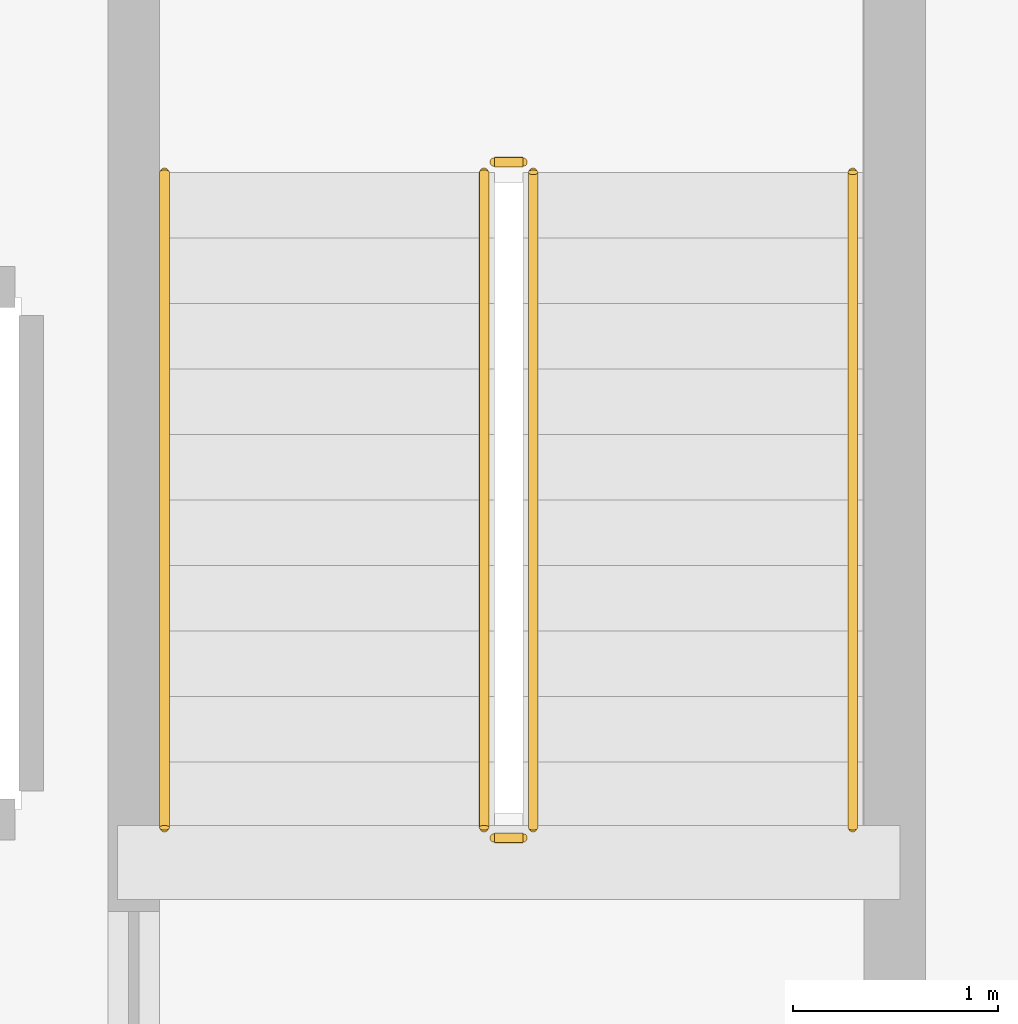
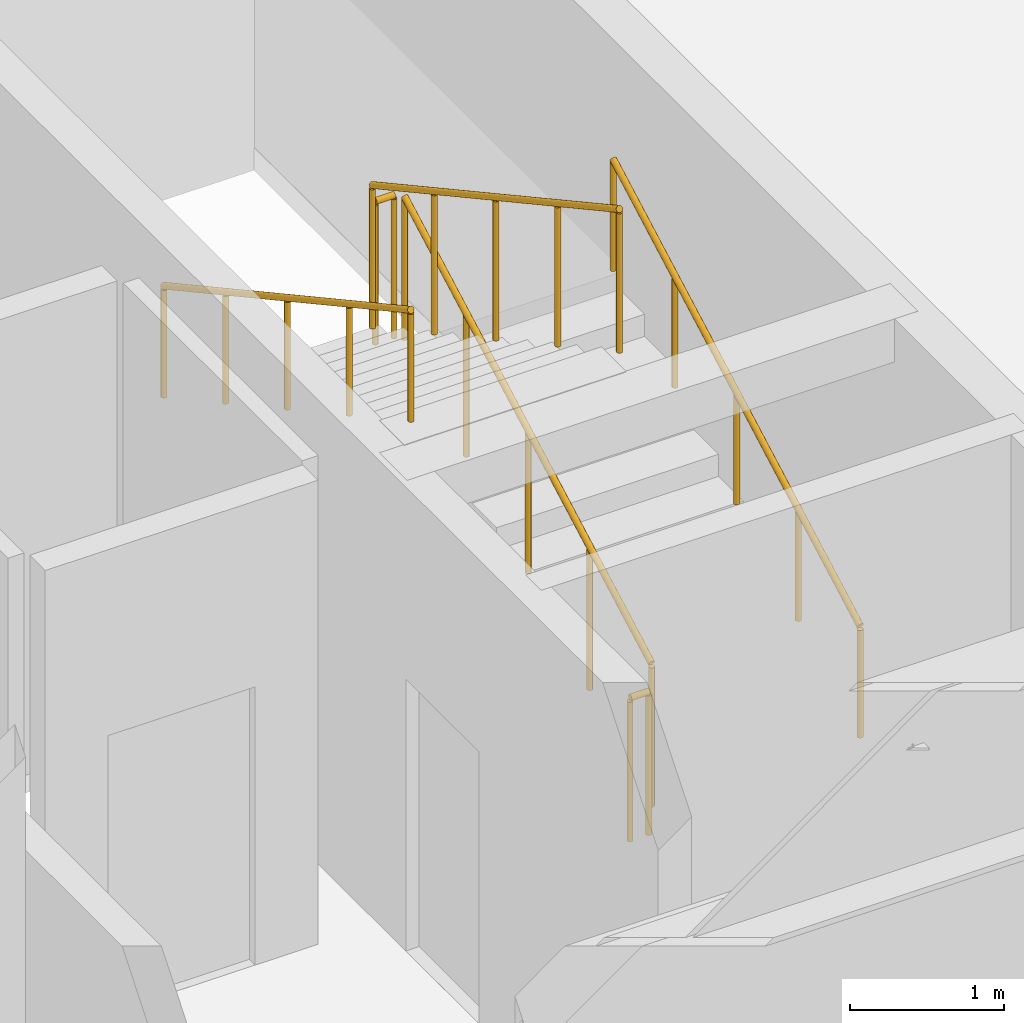
# One storey, part 26 of 26: 6 railings.
"""IFC4 building model written with IfcOpenShell, lengths in metres."""

from ifc_helpers import new_model, si_unit, direction, frame, origin, origin_2d, place, context, subcontext, project, spatial, circle, extrude, material, layer, layer_set, type_object, element, save


model = new_model("IFC4")

# Units and contexts
model_context = context("Model", 3, precision=1e-05, world=origin(), true_north=direction((0.0, 1.0)))
body_context = subcontext(model_context, "Body", "Model", "MODEL_VIEW")
ifc_project = project(units=[si_unit("LENGTHUNIT", "METRE"), si_unit("AREAUNIT", "SQUARE_METRE"), si_unit("VOLUMEUNIT", "CUBIC_METRE"), si_unit("PLANEANGLEUNIT", "RADIAN"), si_unit("MASSUNIT", "GRAM", prefix="KILO")], contexts=[model_context])

# Site, building, storey
site_placement = place(None, origin())
site = spatial("IfcSite", under=ifc_project, at=site_placement, CompositionType="ELEMENT")
building_placement = place(site_placement, origin())
building = spatial("IfcBuilding", under=site, at=building_placement, Name="Kallvorn Hotel Tower", CompositionType="ELEMENT")
storey_placement = place(building_placement, frame((0.0, 0.0, 222.300048828125)))
storey = spatial("IfcBuildingStorey", under=building, at=storey_placement, Name="L55", CompositionType="ELEMENT", Elevation=222.300048828125)

# Railings
ifc_material_1 = material(Name="Brushed stainless-steel tubular railing", Category="steel")
ifc_layer_1 = layer(ifc_material_1, 0.050048828125)
ifc_layer_set_1 = layer_set([ifc_layer_1], Name="RL_STAIR_GUARD")
railing_type_1 = type_object("IfcRailingType", Name="RL_STAIR_GUARD", PredefinedType="GUARDRAIL", material=ifc_layer_set_1)
railing_1_placement = place(storey_placement, frame((12.449951171875, -3.139892578125, 0.175048828125)))
element("IfcRailing", 1, at=railing_1_placement, inside=storey, type_object=railing_type_1, Name="L55 ST2 stair guard 1", PredefinedType="GUARDRAIL", context=body_context, shape_type="SweptSolid", body=[
    extrude(circle(Radius=0.02392578125, at=origin_2d()), frame((0.0, 0.0, 1.1259765625), z_axis=(0.0, 0.877368057402, 0.479817977833), x_axis=(-1.0, 0.0, 0.0)), (0.0, 0.0, 1.0), 3.647216796875),
    extrude(circle(Radius=0.02099609375, at=origin_2d()), origin(), (0.0, 0.0, 1.0), 1.101806640625),
    extrude(circle(Radius=0.02099609375, at=origin_2d()), frame((0.0, 0.800048828125, 0.4375)), (0.0, 0.0, 1.0), 1.101806640625),
    extrude(circle(Radius=0.02099609375, at=origin_2d()), frame((0.0, 1.60009765625, 0.875)), (0.0, 0.0, 1.0), 1.101806640625),
    extrude(circle(Radius=0.02099609375, at=origin_2d()), frame((0.0, 2.39990234375, 1.3125)), (0.0, 0.0, 1.0), 1.101806640625),
    extrude(circle(Radius=0.02099609375, at=origin_2d()), frame((0.0, 3.199951171875, 1.75)), (0.0, 0.0, 1.0), 1.101806640625),
])
railing_2_placement = place(storey_placement, frame((12.39990234375, 0.110107421875, 1.925048828125)))
element("IfcRailing", 2, at=railing_2_placement, inside=storey, type_object=railing_type_1, Name="L55 ST2 stair guard 2", PredefinedType="GUARDRAIL", context=body_context, shape_type="SweptSolid", body=[
    extrude(circle(Radius=0.02392578125, at=origin_2d()), frame((0.0, 0.0, 1.1259765625), z_axis=(-1.0, 0.0, 0.0), x_axis=(0.0, -1.0, 0.0)), (0.0, 0.0, 1.0), 0.139892578125),
    extrude(circle(Radius=0.02099609375, at=origin_2d()), origin(), (0.0, 0.0, 1.0), 1.101806640625),
    extrude(circle(Radius=0.02099609375, at=origin_2d()), frame((-0.139892578125, 0.0, 0.0)), (0.0, 0.0, 1.0), 1.101806640625),
])
railing_3_placement = place(storey_placement, frame((12.2099609375, 0.06005859375, 2.099853515625)))
element("IfcRailing", 3, at=railing_3_placement, inside=storey, type_object=railing_type_1, Name="L55 ST2 stair guard 3", PredefinedType="GUARDRAIL", context=body_context, shape_type="SweptSolid", body=[
    extrude(circle(Radius=0.02392578125, at=origin_2d()), frame((0.0, 0.0, 1.1259765625), z_axis=(0.0, -0.877368057402, 0.479817977833), x_axis=(1.0, 0.0, 0.0)), (0.0, 0.0, 1.0), 3.647216796875),
    extrude(circle(Radius=0.02099609375, at=origin_2d()), origin(), (0.0, 0.0, 1.0), 1.101806640625),
    extrude(circle(Radius=0.02099609375, at=origin_2d()), frame((0.0, -0.800048828125, 0.4375)), (0.0, 0.0, 1.0), 1.101806640625),
    extrude(circle(Radius=0.02099609375, at=origin_2d()), frame((0.0, -1.60009765625, 0.875)), (0.0, 0.0, 1.0), 1.101806640625),
    extrude(circle(Radius=0.02099609375, at=origin_2d()), frame((0.0, -2.39990234375, 1.3125)), (0.0, 0.0, 1.0), 1.101806640625),
    extrude(circle(Radius=0.02099609375, at=origin_2d()), frame((0.0, -3.199951171875, 1.75)), (0.0, 0.0, 1.0), 1.101806640625),
])
railing_4_placement = place(storey_placement, frame((12.39990234375, -3.18994140625, 0.0)))
element("IfcRailing", 4, at=railing_4_placement, inside=storey, type_object=railing_type_1, Name="L55 ST2 stair guard 4", PredefinedType="GUARDRAIL", context=body_context, shape_type="SweptSolid", body=[
    extrude(circle(Radius=0.02392578125, at=origin_2d()), frame((0.0, 0.0, 1.1259765625), z_axis=(-1.0, 0.0, 0.0), x_axis=(0.0, -1.0, 0.0)), (0.0, 0.0, 1.0), 0.139892578125),
    extrude(circle(Radius=0.02099609375, at=origin_2d()), origin(), (0.0, 0.0, 1.0), 1.101806640625),
    extrude(circle(Radius=0.02099609375, at=origin_2d()), frame((-0.139892578125, 0.0, 0.0)), (0.0, 0.0, 1.0), 1.101806640625),
])
ifc_material_2 = material(Name="Brushed stainless-steel tubular railing", Category="steel")
ifc_layer_2 = layer(ifc_material_2, 0.050048828125)
ifc_layer_set_2 = layer_set([ifc_layer_2], Name="RL_STAIR_HAND")
railing_type_2 = type_object("IfcRailingType", Name="RL_STAIR_HAND", PredefinedType="HANDRAIL", material=ifc_layer_set_2)
railing_5_placement = place(storey_placement, frame((14.010009765625, -3.139892578125, 0.175048828125)))
element("IfcRailing", 5, at=railing_5_placement, inside=storey, type_object=railing_type_2, Name="L55 ST2 stair handrail 1", PredefinedType="HANDRAIL", context=body_context, shape_type="SweptSolid", body=[
    extrude(circle(Radius=0.02392578125, at=origin_2d()), frame((0.0, 0.0, 0.8759765625), z_axis=(0.0, 0.877368057402, 0.479817977833), x_axis=(-1.0, 0.0, 0.0)), (0.0, 0.0, 1.0), 3.647216796875),
    extrude(circle(Radius=0.02099609375, at=origin_2d()), origin(), (0.0, 0.0, 1.0), 0.851806640625),
    extrude(circle(Radius=0.02099609375, at=origin_2d()), frame((0.0, 0.800048828125, 0.4375)), (0.0, 0.0, 1.0), 0.851806640625),
    extrude(circle(Radius=0.02099609375, at=origin_2d()), frame((0.0, 1.60009765625, 0.875)), (0.0, 0.0, 1.0), 0.851806640625),
    extrude(circle(Radius=0.02099609375, at=origin_2d()), frame((0.0, 2.39990234375, 1.3125)), (0.0, 0.0, 1.0), 0.851806640625),
    extrude(circle(Radius=0.02099609375, at=origin_2d()), frame((0.0, 3.199951171875, 1.75)), (0.0, 0.0, 1.0), 0.851806640625),
])
railing_6_placement = place(storey_placement, frame((10.64990234375, 0.06005859375, 2.099853515625)))
element("IfcRailing", 6, at=railing_6_placement, inside=storey, type_object=railing_type_2, Name="L55 ST2 stair handrail 2", PredefinedType="HANDRAIL", context=body_context, shape_type="SweptSolid", body=[
    extrude(circle(Radius=0.02392578125, at=origin_2d()), frame((0.0, 0.0, 0.8759765625), z_axis=(0.0, -0.877368057402, 0.479817977833), x_axis=(1.0, 0.0, 0.0)), (0.0, 0.0, 1.0), 3.647216796875),
    extrude(circle(Radius=0.02099609375, at=origin_2d()), origin(), (0.0, 0.0, 1.0), 0.851806640625),
    extrude(circle(Radius=0.02099609375, at=origin_2d()), frame((0.0, -0.800048828125, 0.4375)), (0.0, 0.0, 1.0), 0.851806640625),
    extrude(circle(Radius=0.02099609375, at=origin_2d()), frame((0.0, -1.60009765625, 0.875)), (0.0, 0.0, 1.0), 0.851806640625),
    extrude(circle(Radius=0.02099609375, at=origin_2d()), frame((0.0, -2.39990234375, 1.3125)), (0.0, 0.0, 1.0), 0.851806640625),
    extrude(circle(Radius=0.02099609375, at=origin_2d()), frame((0.0, -3.199951171875, 1.75)), (0.0, 0.0, 1.0), 0.851806640625),
])

save(model, "model.ifc")
